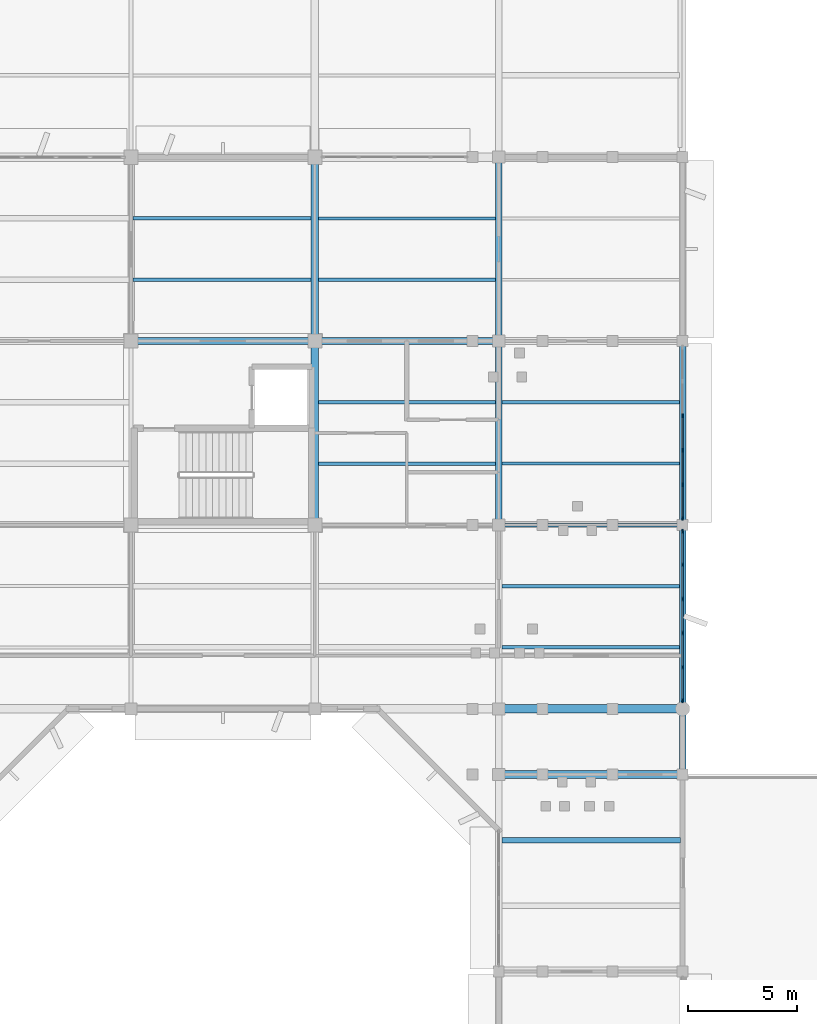
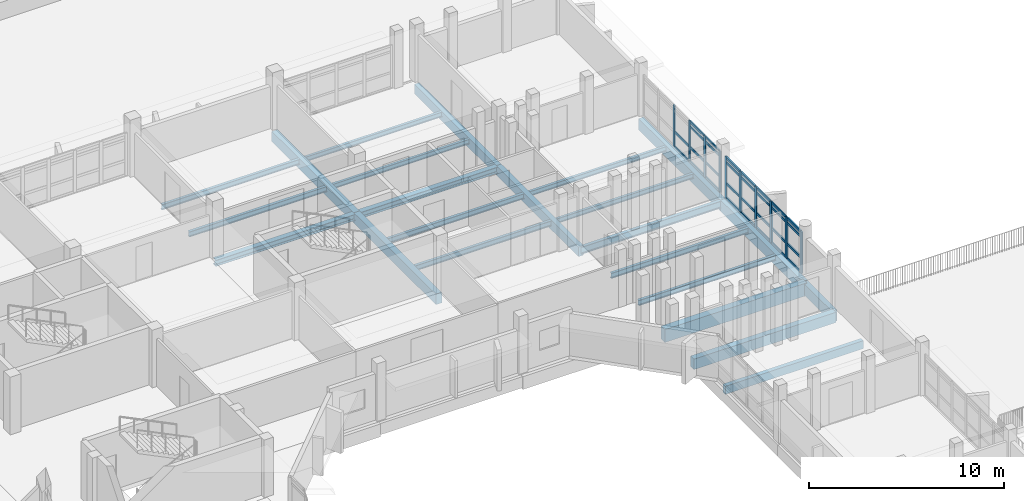
# One storey, part 38 of 92: 40 members, 23 beams, 2 elements without a shape of their own.
"""IFC4 building model written with IfcOpenShell, lengths in metres."""

from ifc_helpers import new_model, si_unit, direction, frame, origin, origin_2d, place, context, subcontext, project, spatial, rectangle, i_section, extrude, material, material_profile, profile_set, type_object, element, aggregate, save


model = new_model("IFC4")

# Units and contexts
model_context = context("Model", 3, precision=1e-05, world=origin(), true_north=direction((0.0, 1.0)))
body_context = subcontext(model_context, "Body", "Model", "MODEL_VIEW")
ifc_project = project(units=[si_unit("LENGTHUNIT", "METRE"), si_unit("AREAUNIT", "SQUARE_METRE"), si_unit("VOLUMEUNIT", "CUBIC_METRE"), si_unit("PLANEANGLEUNIT", "RADIAN"), si_unit("MASSUNIT", "GRAM", prefix="KILO")], contexts=[model_context])

# Site, building, storey
site_placement = place(None, origin())
site = spatial("IfcSite", under=ifc_project, at=site_placement, CompositionType="ELEMENT")
building_placement = place(site_placement, origin())
building = spatial("IfcBuilding", under=site, at=building_placement, Name="Vanh Quang Courtyard School", CompositionType="ELEMENT")
storey_placement = place(building_placement, frame((0.0, 0.0, 7.800048828125)))
storey = spatial("IfcBuildingStorey", under=building, at=storey_placement, Name="L02", CompositionType="ELEMENT", Elevation=7.800048828125)

# Beams
ifc_material_1 = material(Name="Concrete C35/45", Category="concrete")
ifc_material_profile_1 = material_profile(ifc_material_1, rectangle(XDim=0.300048828125, YDim=0.60009765625, at=origin_2d()), Name="RC-BM 300x600")
ifc_profile_set_1 = profile_set([ifc_material_profile_1], Name="Concrete C35/45")
beam_type_1 = type_object("IfcBeamType", Name="BM-RC-300x600", PredefinedType="BEAM", material=ifc_profile_set_1)
beam_1_placement = place(storey_placement, frame((111.0, 79.800048828125, -0.580078125), z_axis=(0.0, 1.0, 0.0), x_axis=(-1.0, 0.0, 0.0)))
element("IfcBeam", 1, at=beam_1_placement, inside=storey, type_object=beam_type_1, Name="Beam B-06 (L02)", PredefinedType="BEAM", context=body_context, shape_type="SweptSolid", body=[
    extrude(rectangle(XDim=0.300048828125, YDim=0.60009765625, at=origin_2d()), origin(), (0.0, 0.0, 1.0), 8.39990234375),
])
beam_2_placement = place(storey_placement, frame((111.0, 88.199951171875, -0.580078125), z_axis=(0.0, 1.0, 0.0), x_axis=(-1.0, 0.0, 0.0)))
element("IfcBeam", 2, at=beam_2_placement, inside=storey, type_object=beam_type_1, Name="Beam B-06 (L02)", PredefinedType="BEAM", context=body_context, shape_type="SweptSolid", body=[
    extrude(rectangle(XDim=0.300048828125, YDim=0.60009765625, at=origin_2d()), origin(), (0.0, 0.0, 1.0), 8.400146484375),
])
ifc_material_profile_2 = material_profile(ifc_material_1, rectangle(XDim=0.35009765625, YDim=0.64990234375, at=origin_2d()), Name="RC-BM 350x650")
ifc_profile_set_2 = profile_set([ifc_material_profile_2], Name="Concrete C35/45")
beam_type_2 = type_object("IfcBeamType", Name="BM-RC-350x650", PredefinedType="BEAM", material=ifc_profile_set_2)
for number, where, z_axis, x_axis, name in (
    (3, (111.0, 68.39990234375, -0.64501953125), (1.0, 0.0, 0.0), (0.0, 1.0, 0.0), "Beam B-05 (L02)"),
    (4, (102.60009765625, 79.800048828125, -0.60498046875), (0.0, 1.0, 0.0), (-1.0, 0.0, 0.0), "Beam B-05 (L02)"),
):
    element("IfcBeam", number, at=place(storey_placement, frame(where, z_axis=z_axis, x_axis=x_axis)), inside=storey, type_object=beam_type_2, Name=name, PredefinedType="BEAM", context=body_context, shape_type="SweptSolid", body=[
        extrude(rectangle(XDim=0.35009765625, YDim=0.64990234375, at=origin_2d()), origin(), (0.0, 0.0, 1.0), 8.39990234375),
    ])
beam_3_placement = place(storey_placement, frame((102.60009765625, 88.199951171875, -0.60498046875), z_axis=(0.0, 1.0, 0.0), x_axis=(-1.0, 0.0, 0.0)))
element("IfcBeam", 5, at=beam_3_placement, inside=storey, type_object=beam_type_2, Name="Beam B-05 (L02)", PredefinedType="BEAM", context=body_context, shape_type="SweptSolid", body=[
    extrude(rectangle(XDim=0.35009765625, YDim=0.64990234375, at=origin_2d()), origin(), (0.0, 0.0, 1.0), 8.400146484375),
])
ifc_material_profile_3 = material_profile(ifc_material_1, rectangle(XDim=0.39990234375, YDim=0.800048828125, at=origin_2d()), Name="RC-BM 400x800")
ifc_profile_set_3 = profile_set([ifc_material_profile_3], Name="Concrete C35/45")
beam_type_3 = type_object("IfcBeamType", Name="BM-RC-400x800", PredefinedType="BEAM", material=ifc_profile_set_3)
beam_4_placement = place(storey_placement, frame((111.0, 71.39990234375, -0.679931640625), z_axis=(1.0, 0.0, 0.0), x_axis=(0.0, 1.0, 0.0)))
element("IfcBeam", 6, at=beam_4_placement, inside=storey, type_object=beam_type_3, Name="Beam B-02 (L02)", PredefinedType="BEAM", context=body_context, shape_type="SweptSolid", body=[
    extrude(rectangle(XDim=0.39990234375, YDim=0.800048828125, at=origin_2d()), origin(), (0.0, 0.0, 1.0), 8.39990234375),
])
ifc_material_profile_4 = material_profile(ifc_material_1, rectangle(XDim=0.300048828125, YDim=0.699951171875, at=origin_2d()), Name="RC-SP 300x700")
ifc_profile_set_4 = profile_set([ifc_material_profile_4], Name="Concrete C35/45")
beam_type_4 = type_object("IfcBeamType", Name="BM-SP-300x700", PredefinedType="SPANDREL", material=ifc_profile_set_4)
beam_5_placement = place(storey_placement, frame((119.39990234375, 68.39990234375, -0.670166015625), z_axis=(0.0, 1.0, 0.0), x_axis=(-1.0, 0.0, 0.0)))
element("IfcBeam", 7, at=beam_5_placement, inside=storey, type_object=beam_type_4, Name="Beam BS-01 (L02)", PredefinedType="SPANDREL", context=body_context, shape_type="SweptSolid", body=[
    extrude(rectangle(XDim=0.300048828125, YDim=0.699951171875, at=origin_2d()), origin(), (0.0, 0.0, 1.0), 3.0),
])
beam_6_placement = place(storey_placement, frame((119.39990234375, 71.39990234375, -0.630126953125), z_axis=(0.0, 1.0, 0.0), x_axis=(-1.0, 0.0, 0.0)))
element("IfcBeam", 8, at=beam_6_placement, inside=storey, type_object=beam_type_4, Name="Beam BS-01 (L02)", PredefinedType="SPANDREL", context=body_context, shape_type="SweptSolid", body=[
    extrude(rectangle(XDim=0.300048828125, YDim=0.699951171875, at=origin_2d()), origin(), (0.0, 0.0, 1.0), 8.400146484375),
])
beam_7_placement = place(storey_placement, frame((119.39990234375, 79.800048828125, -0.630126953125), z_axis=(0.0, 1.0, 0.0), x_axis=(-1.0, 0.0, 0.0)))
element("IfcBeam", 9, at=beam_7_placement, inside=storey, type_object=beam_type_4, Name="Beam BS-01 (L02)", PredefinedType="SPANDREL", context=body_context, shape_type="SweptSolid", body=[
    extrude(rectangle(XDim=0.300048828125, YDim=0.699951171875, at=origin_2d()), origin(), (0.0, 0.0, 1.0), 8.39990234375),
])
ifc_material_2 = material(Name="Structural steel EN 10025-2 S355J2", Category="steel")
ifc_material_profile_5 = material_profile(ifc_material_2, i_section(OverallWidth=0.300048828125, OverallDepth=0.389892578125, WebThickness=0.010986328125, FlangeThickness=0.01904296875, FilletRadius=0.027099609375, at=origin_2d()), Name="HEA 400")
ifc_profile_set_5 = profile_set([ifc_material_profile_5], Name="Structural steel EN 10025-2 S355J2")
beam_type_5 = type_object("IfcBeamType", Name="BM-STL-HEA400", PredefinedType="BEAM", material=ifc_profile_set_5)
beam_8_placement = place(storey_placement, frame((94.199951171875, 88.199951171875, -0.47509765625), z_axis=(1.0, 0.0, 0.0), x_axis=(0.0, 1.0, 0.0)))
element("IfcBeam", 10, at=beam_8_placement, inside=storey, type_object=beam_type_5, Name="Beam SB-08 (L02)", PredefinedType="BEAM", context=body_context, shape_type="SweptSolid", body=[
    extrude(i_section(OverallWidth=0.300048828125, OverallDepth=0.389892578125, WebThickness=0.010986328125, FlangeThickness=0.01904296875, FilletRadius=0.027099609375, at=origin_2d()), origin(), (0.0, 0.0, 1.0), 8.400146484375),
])
beam_9_placement = place(storey_placement, frame((102.60009765625, 88.199951171875, -0.47509765625), z_axis=(1.0, 0.0, 0.0), x_axis=(0.0, 1.0, 0.0)))
element("IfcBeam", 11, at=beam_9_placement, inside=storey, type_object=beam_type_5, Name="Beam SB-08 (L02)", PredefinedType="BEAM", context=body_context, shape_type="SweptSolid", body=[
    extrude(i_section(OverallWidth=0.300048828125, OverallDepth=0.389892578125, WebThickness=0.010986328125, FlangeThickness=0.01904296875, FilletRadius=0.027099609375, at=origin_2d()), origin(), (0.0, 0.0, 1.0), 8.39990234375),
])
ifc_material_profile_6 = material_profile(ifc_material_2, i_section(OverallWidth=0.18994140625, OverallDepth=0.449951171875, WebThickness=0.009521484375, FlangeThickness=0.0146484375, FilletRadius=0.02099609375, at=origin_2d()), Name="IPE 450")
ifc_profile_set_6 = profile_set([ifc_material_profile_6], Name="Structural steel EN 10025-2 S355J2")
beam_type_6 = type_object("IfcBeamType", Name="BM-STL-IPE450", PredefinedType="BEAM", material=ifc_profile_set_6)
beam_10_placement = place(storey_placement, frame((111.0, 79.800048828125, -0.505126953125), z_axis=(1.0, 0.0, 0.0), x_axis=(0.0, 1.0, 0.0)))
element("IfcBeam", 12, at=beam_10_placement, inside=storey, type_object=beam_type_6, Name="Beam SB-04 (L02)", PredefinedType="BEAM", context=body_context, shape_type="SweptSolid", body=[
    extrude(i_section(OverallWidth=0.18994140625, OverallDepth=0.449951171875, WebThickness=0.009521484375, FlangeThickness=0.0146484375, FilletRadius=0.02099609375, at=origin_2d()), origin(), (0.0, 0.0, 1.0), 8.39990234375),
])

# Curtain wall, members
ifc_material_3 = material(Name="Thermally broken aluminium unitised curtain wall", Category="aluminium")
curtain_wall_type_1 = type_object("IfcCurtainWallType", Name="CW-SYS-19", PredefinedType="NOTDEFINED", material=ifc_material_3)
curtain_wall_1_placement = place(storey_placement, origin())
curtain_wall_1 = element("IfcCurtainWall", 13, at=curtain_wall_1_placement, inside=storey, type_object=curtain_wall_type_1, Name="Curtain Wall CW-19 (L02)", PredefinedType="NOTDEFINED")
ifc_material_4 = material(Name="Anodised aluminium 6063-T6", Category="aluminium")
ifc_material_profile_7 = material_profile(ifc_material_4, rectangle(XDim=0.070068359375, YDim=0.179931640625, at=origin_2d()), Name="ALU-MUL 70x180")
ifc_profile_set_7 = profile_set([ifc_material_profile_7], Name="Anodised aluminium 6063-T6")
member_type_1 = type_object("IfcMemberType", Name="CW-MUL-70x180", PredefinedType="MULLION", material=ifc_profile_set_7)
member_1_placement = place(storey_placement, frame((119.39990234375, 84.788330078125, 0.0), z_axis=(0.0, 0.0, 1.0), x_axis=(1.0, 0.0, 0.0)))
member_1 = element("IfcMember", 14, at=member_1_placement, type_object=member_type_1, Name="CW-19 mullion 3", PredefinedType="MULLION", context=body_context, shape_type="SweptSolid", body=[
    extrude(rectangle(XDim=0.070068359375, YDim=0.179931640625, at=origin_2d()), origin(), (0.0, 0.0, 1.0), 2.579833984375),
])
member_2_placement = place(storey_placement, frame((119.39990234375, 83.211669921875, 0.0), z_axis=(0.0, 0.0, 1.0), x_axis=(1.0, 0.0, 0.0)))
member_2 = element("IfcMember", 15, at=member_2_placement, type_object=member_type_1, Name="CW-19 mullion 4", PredefinedType="MULLION", context=body_context, shape_type="SweptSolid", body=[
    extrude(rectangle(XDim=0.070068359375, YDim=0.179931640625, at=origin_2d()), origin(), (0.0, 0.0, 1.0), 2.579833984375),
])
member_3_placement = place(storey_placement, frame((119.39990234375, 81.634765625, 0.0), z_axis=(0.0, 0.0, 1.0), x_axis=(1.0, 0.0, 0.0)))
member_3 = element("IfcMember", 16, at=member_3_placement, type_object=member_type_1, Name="CW-19 mullion 5", PredefinedType="MULLION", context=body_context, shape_type="SweptSolid", body=[
    extrude(rectangle(XDim=0.070068359375, YDim=0.179931640625, at=origin_2d()), origin(), (0.0, 0.0, 1.0), 2.579833984375),
])
member_4_placement = place(storey_placement, frame((119.39990234375, 80.093017578125, 0.0), z_axis=(0.0, 0.0, 1.0), x_axis=(1.0, 0.0, 0.0)))
member_4 = element("IfcMember", 17, at=member_4_placement, type_object=member_type_1, Name="CW-19 mullion 6", PredefinedType="MULLION", context=body_context, shape_type="SweptSolid", body=[
    extrude(rectangle(XDim=0.070068359375, YDim=0.179931640625, at=origin_2d()), origin(), (0.0, 0.0, 1.0), 2.579833984375),
])

curtain_wall_type_2 = type_object("IfcCurtainWallType", Name="CW-SYS-24", PredefinedType="NOTDEFINED", material=ifc_material_3)
curtain_wall_2_placement = place(storey_placement, origin())
curtain_wall_2 = element("IfcCurtainWall", 18, at=curtain_wall_2_placement, inside=storey, type_object=curtain_wall_type_2, Name="Curtain Wall CW-24 (L02)", PredefinedType="NOTDEFINED")
ifc_material_profile_8 = material_profile(ifc_material_4, rectangle(XDim=0.080078125, YDim=0.199951171875, at=origin_2d()), Name="ALU-MUL 80x200")
ifc_profile_set_8 = profile_set([ifc_material_profile_8], Name="Anodised aluminium 6063-T6")
member_type_2 = type_object("IfcMemberType", Name="CW-MUL-80x200", PredefinedType="MULLION", material=ifc_profile_set_8)
member_5_placement = place(storey_placement, frame((119.39990234375, 79.501953125, 0.0), z_axis=(0.0, 0.0, 1.0), x_axis=(1.0, 0.0, 0.0)))
member_5 = element("IfcMember", 19, at=member_5_placement, type_object=member_type_2, Name="CW-24 mullion 1", PredefinedType="MULLION", context=body_context, shape_type="SweptSolid", body=[
    extrude(rectangle(XDim=0.080078125, YDim=0.199951171875, at=origin_2d()), origin(), (0.0, 0.0, 1.0), 2.579833984375),
])
member_6_placement = place(storey_placement, frame((119.39990234375, 77.980224609375, 0.0), z_axis=(0.0, 0.0, 1.0), x_axis=(1.0, 0.0, 0.0)))
member_6 = element("IfcMember", 20, at=member_6_placement, type_object=member_type_2, Name="CW-24 mullion 2", PredefinedType="MULLION", context=body_context, shape_type="SweptSolid", body=[
    extrude(rectangle(XDim=0.080078125, YDim=0.199951171875, at=origin_2d()), origin(), (0.0, 0.0, 1.0), 2.579833984375),
])
member_7_placement = place(storey_placement, frame((119.39990234375, 76.41845703125, 0.0), z_axis=(0.0, 0.0, 1.0), x_axis=(1.0, 0.0, 0.0)))
member_7 = element("IfcMember", 21, at=member_7_placement, type_object=member_type_2, Name="CW-24 mullion 3", PredefinedType="MULLION", context=body_context, shape_type="SweptSolid", body=[
    extrude(rectangle(XDim=0.080078125, YDim=0.199951171875, at=origin_2d()), origin(), (0.0, 0.0, 1.0), 2.579833984375),
])
member_8_placement = place(storey_placement, frame((119.39990234375, 74.856689453125, 0.0), z_axis=(0.0, 0.0, 1.0), x_axis=(1.0, 0.0, 0.0)))
member_8 = element("IfcMember", 22, at=member_8_placement, type_object=member_type_2, Name="CW-24 mullion 4", PredefinedType="MULLION", context=body_context, shape_type="SweptSolid", body=[
    extrude(rectangle(XDim=0.080078125, YDim=0.199951171875, at=origin_2d()), origin(), (0.0, 0.0, 1.0), 2.579833984375),
])
member_9_placement = place(storey_placement, frame((119.39990234375, 73.294921875, 0.0), z_axis=(0.0, 0.0, 1.0), x_axis=(1.0, 0.0, 0.0)))
member_9 = element("IfcMember", 23, at=member_9_placement, type_object=member_type_2, Name="CW-24 mullion 5", PredefinedType="MULLION", context=body_context, shape_type="SweptSolid", body=[
    extrude(rectangle(XDim=0.080078125, YDim=0.199951171875, at=origin_2d()), origin(), (0.0, 0.0, 1.0), 2.579833984375),
])
member_10_placement = place(storey_placement, frame((119.39990234375, 71.77294921875, 0.0), z_axis=(0.0, 0.0, 1.0), x_axis=(1.0, 0.0, 0.0)))
member_10 = element("IfcMember", 24, at=member_10_placement, type_object=member_type_2, Name="CW-24 mullion 6", PredefinedType="MULLION", context=body_context, shape_type="SweptSolid", body=[
    extrude(rectangle(XDim=0.080078125, YDim=0.199951171875, at=origin_2d()), origin(), (0.0, 0.0, 1.0), 2.579833984375),
])

# Member
ifc_material_profile_9 = material_profile(ifc_material_4, rectangle(XDim=0.070068359375, YDim=0.139892578125, at=origin_2d()), Name="ALU-TRN 70x140")
ifc_profile_set_9 = profile_set([ifc_material_profile_9], Name="Anodised aluminium 6063-T6")
member_type_3 = type_object("IfcMemberType", Name="CW-TRN-70x140", PredefinedType="USERDEFINED", material=ifc_profile_set_9)
member_11_placement = place(storey_placement, frame((119.39990234375, 84.75341796875, 0.034912109375), z_axis=(0.0, -1.0, 0.0), x_axis=(1.0, 0.0, 0.0)))
member_11 = element("IfcMember", 25, at=member_11_placement, type_object=member_type_3, Name="CW-19 transom 3.1", ObjectType="TRANSOM", PredefinedType="USERDEFINED", context=body_context, shape_type="SweptSolid", body=[
    extrude(rectangle(XDim=0.070068359375, YDim=0.139892578125, at=origin_2d()), origin(), (0.0, 0.0, 1.0), 1.5068359375),
])

member_12_placement = place(storey_placement, frame((119.39990234375, 84.75341796875, 0.949951171875), z_axis=(0.0, -1.0, 0.0), x_axis=(1.0, 0.0, 0.0)))
member_12 = element("IfcMember", 26, at=member_12_placement, type_object=member_type_3, Name="CW-19 transom 3.2", ObjectType="TRANSOM", PredefinedType="USERDEFINED", context=body_context, shape_type="SweptSolid", body=[
    extrude(rectangle(XDim=0.070068359375, YDim=0.139892578125, at=origin_2d()), origin(), (0.0, 0.0, 1.0), 1.5068359375),
])

member_13_placement = place(storey_placement, frame((119.39990234375, 83.176513671875, 0.034912109375), z_axis=(0.0, -1.0, 0.0), x_axis=(1.0, 0.0, 0.0)))
member_13 = element("IfcMember", 27, at=member_13_placement, type_object=member_type_3, Name="CW-19 transom 4.1", ObjectType="TRANSOM", PredefinedType="USERDEFINED", context=body_context, shape_type="SweptSolid", body=[
    extrude(rectangle(XDim=0.070068359375, YDim=0.139892578125, at=origin_2d()), origin(), (0.0, 0.0, 1.0), 1.506591796875),
])

member_14_placement = place(storey_placement, frame((119.39990234375, 83.176513671875, 0.949951171875), z_axis=(0.0, -1.0, 0.0), x_axis=(1.0, 0.0, 0.0)))
member_14 = element("IfcMember", 28, at=member_14_placement, type_object=member_type_3, Name="CW-19 transom 4.2", ObjectType="TRANSOM", PredefinedType="USERDEFINED", context=body_context, shape_type="SweptSolid", body=[
    extrude(rectangle(XDim=0.070068359375, YDim=0.139892578125, at=origin_2d()), origin(), (0.0, 0.0, 1.0), 1.506591796875),
])

member_15_placement = place(storey_placement, frame((119.39990234375, 83.176513671875, 2.25), z_axis=(0.0, -1.0, 0.0), x_axis=(1.0, 0.0, 0.0)))
member_15 = element("IfcMember", 29, at=member_15_placement, type_object=member_type_3, Name="CW-19 transom 4.3", ObjectType="TRANSOM", PredefinedType="USERDEFINED", context=body_context, shape_type="SweptSolid", body=[
    extrude(rectangle(XDim=0.070068359375, YDim=0.139892578125, at=origin_2d()), origin(), (0.0, 0.0, 1.0), 1.506591796875),
])

member_16_placement = place(storey_placement, frame((119.39990234375, 83.176513671875, 2.544921875), z_axis=(0.0, -1.0, 0.0), x_axis=(1.0, 0.0, 0.0)))
member_16 = element("IfcMember", 30, at=member_16_placement, type_object=member_type_3, Name="CW-19 transom 4.4", ObjectType="TRANSOM", PredefinedType="USERDEFINED", context=body_context, shape_type="SweptSolid", body=[
    extrude(rectangle(XDim=0.070068359375, YDim=0.139892578125, at=origin_2d()), origin(), (0.0, 0.0, 1.0), 1.506591796875),
])

member_17_placement = place(storey_placement, frame((119.39990234375, 81.599853515625, 0.034912109375), z_axis=(0.0, -1.0, 0.0), x_axis=(1.0, 0.0, 0.0)))
member_17 = element("IfcMember", 31, at=member_17_placement, type_object=member_type_3, Name="CW-19 transom 5.1", ObjectType="TRANSOM", PredefinedType="USERDEFINED", context=body_context, shape_type="SweptSolid", body=[
    extrude(rectangle(XDim=0.070068359375, YDim=0.139892578125, at=origin_2d()), origin(), (0.0, 0.0, 1.0), 1.471923828125),
])

member_18_placement = place(storey_placement, frame((119.39990234375, 81.599853515625, 0.949951171875), z_axis=(0.0, -1.0, 0.0), x_axis=(1.0, 0.0, 0.0)))
member_18 = element("IfcMember", 32, at=member_18_placement, type_object=member_type_3, Name="CW-19 transom 5.2", ObjectType="TRANSOM", PredefinedType="USERDEFINED", context=body_context, shape_type="SweptSolid", body=[
    extrude(rectangle(XDim=0.070068359375, YDim=0.139892578125, at=origin_2d()), origin(), (0.0, 0.0, 1.0), 1.471923828125),
])

member_19_placement = place(storey_placement, frame((119.39990234375, 81.599853515625, 2.25), z_axis=(0.0, -1.0, 0.0), x_axis=(1.0, 0.0, 0.0)))
member_19 = element("IfcMember", 33, at=member_19_placement, type_object=member_type_3, Name="CW-19 transom 5.3", ObjectType="TRANSOM", PredefinedType="USERDEFINED", context=body_context, shape_type="SweptSolid", body=[
    extrude(rectangle(XDim=0.070068359375, YDim=0.139892578125, at=origin_2d()), origin(), (0.0, 0.0, 1.0), 1.471923828125),
])

member_20_placement = place(storey_placement, frame((119.39990234375, 81.599853515625, 2.544921875), z_axis=(0.0, -1.0, 0.0), x_axis=(1.0, 0.0, 0.0)))
member_20 = element("IfcMember", 34, at=member_20_placement, type_object=member_type_3, Name="CW-19 transom 5.4", ObjectType="TRANSOM", PredefinedType="USERDEFINED", context=body_context, shape_type="SweptSolid", body=[
    extrude(rectangle(XDim=0.070068359375, YDim=0.139892578125, at=origin_2d()), origin(), (0.0, 0.0, 1.0), 1.471923828125),
])

aggregate(curtain_wall_1, [member_1, member_2, member_3, member_4, member_11, member_12, member_13, member_14, member_15, member_16, member_17, member_18, member_19, member_20])

ifc_material_profile_10 = material_profile(ifc_material_4, rectangle(XDim=0.080078125, YDim=0.14990234375, at=origin_2d()), Name="ALU-TRN 80x150")
ifc_profile_set_10 = profile_set([ifc_material_profile_10], Name="Anodised aluminium 6063-T6")
member_type_4 = type_object("IfcMemberType", Name="CW-TRN-80x150", PredefinedType="USERDEFINED", material=ifc_profile_set_10)
member_21_placement = place(storey_placement, frame((119.39990234375, 79.4619140625, 0.0400390625), z_axis=(0.0, -1.0, 0.0), x_axis=(1.0, 0.0, 0.0)))
member_21 = element("IfcMember", 35, at=member_21_placement, type_object=member_type_4, Name="CW-24 transom 1.1", ObjectType="TRANSOM", PredefinedType="USERDEFINED", context=body_context, shape_type="SweptSolid", body=[
    extrude(rectangle(XDim=0.080078125, YDim=0.14990234375, at=origin_2d()), origin(), (0.0, 0.0, 1.0), 1.441650390625),
])

member_22_placement = place(storey_placement, frame((119.39990234375, 79.4619140625, 0.949951171875), z_axis=(0.0, -1.0, 0.0), x_axis=(1.0, 0.0, 0.0)))
member_22 = element("IfcMember", 36, at=member_22_placement, type_object=member_type_4, Name="CW-24 transom 1.2", ObjectType="TRANSOM", PredefinedType="USERDEFINED", context=body_context, shape_type="SweptSolid", body=[
    extrude(rectangle(XDim=0.080078125, YDim=0.14990234375, at=origin_2d()), origin(), (0.0, 0.0, 1.0), 1.441650390625),
])

member_23_placement = place(storey_placement, frame((119.39990234375, 79.4619140625, 2.25), z_axis=(0.0, -1.0, 0.0), x_axis=(1.0, 0.0, 0.0)))
member_23 = element("IfcMember", 37, at=member_23_placement, type_object=member_type_4, Name="CW-24 transom 1.3", ObjectType="TRANSOM", PredefinedType="USERDEFINED", context=body_context, shape_type="SweptSolid", body=[
    extrude(rectangle(XDim=0.080078125, YDim=0.14990234375, at=origin_2d()), origin(), (0.0, 0.0, 1.0), 1.441650390625),
])

member_24_placement = place(storey_placement, frame((119.39990234375, 79.4619140625, 2.5400390625), z_axis=(0.0, -1.0, 0.0), x_axis=(1.0, 0.0, 0.0)))
member_24 = element("IfcMember", 38, at=member_24_placement, type_object=member_type_4, Name="CW-24 transom 1.4", ObjectType="TRANSOM", PredefinedType="USERDEFINED", context=body_context, shape_type="SweptSolid", body=[
    extrude(rectangle(XDim=0.080078125, YDim=0.14990234375, at=origin_2d()), origin(), (0.0, 0.0, 1.0), 1.441650390625),
])

member_25_placement = place(storey_placement, frame((119.39990234375, 77.940185546875, 0.0400390625), z_axis=(0.0, -1.0, 0.0), x_axis=(1.0, 0.0, 0.0)))
member_25 = element("IfcMember", 39, at=member_25_placement, type_object=member_type_4, Name="CW-24 transom 2.1", ObjectType="TRANSOM", PredefinedType="USERDEFINED", context=body_context, shape_type="SweptSolid", body=[
    extrude(rectangle(XDim=0.080078125, YDim=0.14990234375, at=origin_2d()), origin(), (0.0, 0.0, 1.0), 1.481689453125),
])

member_26_placement = place(storey_placement, frame((119.39990234375, 77.940185546875, 0.949951171875), z_axis=(0.0, -1.0, 0.0), x_axis=(1.0, 0.0, 0.0)))
member_26 = element("IfcMember", 40, at=member_26_placement, type_object=member_type_4, Name="CW-24 transom 2.2", ObjectType="TRANSOM", PredefinedType="USERDEFINED", context=body_context, shape_type="SweptSolid", body=[
    extrude(rectangle(XDim=0.080078125, YDim=0.14990234375, at=origin_2d()), origin(), (0.0, 0.0, 1.0), 1.481689453125),
])

member_27_placement = place(storey_placement, frame((119.39990234375, 77.940185546875, 2.25), z_axis=(0.0, -1.0, 0.0), x_axis=(1.0, 0.0, 0.0)))
member_27 = element("IfcMember", 41, at=member_27_placement, type_object=member_type_4, Name="CW-24 transom 2.3", ObjectType="TRANSOM", PredefinedType="USERDEFINED", context=body_context, shape_type="SweptSolid", body=[
    extrude(rectangle(XDim=0.080078125, YDim=0.14990234375, at=origin_2d()), origin(), (0.0, 0.0, 1.0), 1.481689453125),
])

member_28_placement = place(storey_placement, frame((119.39990234375, 77.940185546875, 2.5400390625), z_axis=(0.0, -1.0, 0.0), x_axis=(1.0, 0.0, 0.0)))
member_28 = element("IfcMember", 42, at=member_28_placement, type_object=member_type_4, Name="CW-24 transom 2.4", ObjectType="TRANSOM", PredefinedType="USERDEFINED", context=body_context, shape_type="SweptSolid", body=[
    extrude(rectangle(XDim=0.080078125, YDim=0.14990234375, at=origin_2d()), origin(), (0.0, 0.0, 1.0), 1.481689453125),
])

member_29_placement = place(storey_placement, frame((119.39990234375, 76.37841796875, 0.0400390625), z_axis=(0.0, -1.0, 0.0), x_axis=(1.0, 0.0, 0.0)))
member_29 = element("IfcMember", 43, at=member_29_placement, type_object=member_type_4, Name="CW-24 transom 3.1", ObjectType="TRANSOM", PredefinedType="USERDEFINED", context=body_context, shape_type="SweptSolid", body=[
    extrude(rectangle(XDim=0.080078125, YDim=0.14990234375, at=origin_2d()), origin(), (0.0, 0.0, 1.0), 1.48193359375),
])

member_30_placement = place(storey_placement, frame((119.39990234375, 76.37841796875, 0.949951171875), z_axis=(0.0, -1.0, 0.0), x_axis=(1.0, 0.0, 0.0)))
member_30 = element("IfcMember", 44, at=member_30_placement, type_object=member_type_4, Name="CW-24 transom 3.2", ObjectType="TRANSOM", PredefinedType="USERDEFINED", context=body_context, shape_type="SweptSolid", body=[
    extrude(rectangle(XDim=0.080078125, YDim=0.14990234375, at=origin_2d()), origin(), (0.0, 0.0, 1.0), 1.48193359375),
])

member_31_placement = place(storey_placement, frame((119.39990234375, 76.37841796875, 2.25), z_axis=(0.0, -1.0, 0.0), x_axis=(1.0, 0.0, 0.0)))
member_31 = element("IfcMember", 45, at=member_31_placement, type_object=member_type_4, Name="CW-24 transom 3.3", ObjectType="TRANSOM", PredefinedType="USERDEFINED", context=body_context, shape_type="SweptSolid", body=[
    extrude(rectangle(XDim=0.080078125, YDim=0.14990234375, at=origin_2d()), origin(), (0.0, 0.0, 1.0), 1.48193359375),
])

member_32_placement = place(storey_placement, frame((119.39990234375, 76.37841796875, 2.5400390625), z_axis=(0.0, -1.0, 0.0), x_axis=(1.0, 0.0, 0.0)))
member_32 = element("IfcMember", 46, at=member_32_placement, type_object=member_type_4, Name="CW-24 transom 3.4", ObjectType="TRANSOM", PredefinedType="USERDEFINED", context=body_context, shape_type="SweptSolid", body=[
    extrude(rectangle(XDim=0.080078125, YDim=0.14990234375, at=origin_2d()), origin(), (0.0, 0.0, 1.0), 1.48193359375),
])

member_33_placement = place(storey_placement, frame((119.39990234375, 74.816650390625, 0.0400390625), z_axis=(0.0, -1.0, 0.0), x_axis=(1.0, 0.0, 0.0)))
member_33 = element("IfcMember", 47, at=member_33_placement, type_object=member_type_4, Name="CW-24 transom 4.1", ObjectType="TRANSOM", PredefinedType="USERDEFINED", context=body_context, shape_type="SweptSolid", body=[
    extrude(rectangle(XDim=0.080078125, YDim=0.14990234375, at=origin_2d()), origin(), (0.0, 0.0, 1.0), 1.48193359375),
])

member_34_placement = place(storey_placement, frame((119.39990234375, 74.816650390625, 0.949951171875), z_axis=(0.0, -1.0, 0.0), x_axis=(1.0, 0.0, 0.0)))
member_34 = element("IfcMember", 48, at=member_34_placement, type_object=member_type_4, Name="CW-24 transom 4.2", ObjectType="TRANSOM", PredefinedType="USERDEFINED", context=body_context, shape_type="SweptSolid", body=[
    extrude(rectangle(XDim=0.080078125, YDim=0.14990234375, at=origin_2d()), origin(), (0.0, 0.0, 1.0), 1.48193359375),
])

member_35_placement = place(storey_placement, frame((119.39990234375, 74.816650390625, 2.25), z_axis=(0.0, -1.0, 0.0), x_axis=(1.0, 0.0, 0.0)))
member_35 = element("IfcMember", 49, at=member_35_placement, type_object=member_type_4, Name="CW-24 transom 4.3", ObjectType="TRANSOM", PredefinedType="USERDEFINED", context=body_context, shape_type="SweptSolid", body=[
    extrude(rectangle(XDim=0.080078125, YDim=0.14990234375, at=origin_2d()), origin(), (0.0, 0.0, 1.0), 1.48193359375),
])

member_36_placement = place(storey_placement, frame((119.39990234375, 74.816650390625, 2.5400390625), z_axis=(0.0, -1.0, 0.0), x_axis=(1.0, 0.0, 0.0)))
member_36 = element("IfcMember", 50, at=member_36_placement, type_object=member_type_4, Name="CW-24 transom 4.4", ObjectType="TRANSOM", PredefinedType="USERDEFINED", context=body_context, shape_type="SweptSolid", body=[
    extrude(rectangle(XDim=0.080078125, YDim=0.14990234375, at=origin_2d()), origin(), (0.0, 0.0, 1.0), 1.48193359375),
])

member_37_placement = place(storey_placement, frame((119.39990234375, 73.2548828125, 0.0400390625), z_axis=(0.0, -1.0, 0.0), x_axis=(1.0, 0.0, 0.0)))
member_37 = element("IfcMember", 51, at=member_37_placement, type_object=member_type_4, Name="CW-24 transom 5.1", ObjectType="TRANSOM", PredefinedType="USERDEFINED", context=body_context, shape_type="SweptSolid", body=[
    extrude(rectangle(XDim=0.080078125, YDim=0.14990234375, at=origin_2d()), origin(), (0.0, 0.0, 1.0), 1.44189453125),
])

member_38_placement = place(storey_placement, frame((119.39990234375, 73.2548828125, 0.949951171875), z_axis=(0.0, -1.0, 0.0), x_axis=(1.0, 0.0, 0.0)))
member_38 = element("IfcMember", 52, at=member_38_placement, type_object=member_type_4, Name="CW-24 transom 5.2", ObjectType="TRANSOM", PredefinedType="USERDEFINED", context=body_context, shape_type="SweptSolid", body=[
    extrude(rectangle(XDim=0.080078125, YDim=0.14990234375, at=origin_2d()), origin(), (0.0, 0.0, 1.0), 1.44189453125),
])

member_39_placement = place(storey_placement, frame((119.39990234375, 73.2548828125, 2.25), z_axis=(0.0, -1.0, 0.0), x_axis=(1.0, 0.0, 0.0)))
member_39 = element("IfcMember", 53, at=member_39_placement, type_object=member_type_4, Name="CW-24 transom 5.3", ObjectType="TRANSOM", PredefinedType="USERDEFINED", context=body_context, shape_type="SweptSolid", body=[
    extrude(rectangle(XDim=0.080078125, YDim=0.14990234375, at=origin_2d()), origin(), (0.0, 0.0, 1.0), 1.44189453125),
])

member_40_placement = place(storey_placement, frame((119.39990234375, 73.2548828125, 2.5400390625), z_axis=(0.0, -1.0, 0.0), x_axis=(1.0, 0.0, 0.0)))
member_40 = element("IfcMember", 54, at=member_40_placement, type_object=member_type_4, Name="CW-24 transom 5.4", ObjectType="TRANSOM", PredefinedType="USERDEFINED", context=body_context, shape_type="SweptSolid", body=[
    extrude(rectangle(XDim=0.080078125, YDim=0.14990234375, at=origin_2d()), origin(), (0.0, 0.0, 1.0), 1.44189453125),
])

aggregate(curtain_wall_2, [member_5, member_6, member_7, member_8, member_9, member_10, member_21, member_22, member_23, member_24, member_25, member_26, member_27, member_28, member_29, member_30, member_31, member_32, member_33, member_34, member_35, member_36, member_37, member_38, member_39, member_40])

# Beams
ifc_material_5 = material(Name="Concrete C30/37", Category="concrete")
ifc_material_profile_11 = material_profile(ifc_material_5, rectangle(XDim=0.25, YDim=0.5, at=origin_2d()), Name="RC-JST 250x500")
ifc_profile_set_11 = profile_set([ifc_material_profile_11], Name="Concrete C30/37")
beam_type_7 = type_object("IfcBeamType", Name="JST-RC-250x500", PredefinedType="JOIST", material=ifc_profile_set_11)
beam_11_placement = place(storey_placement, frame((111.14990234375, 65.39990234375, -0.530029296875), z_axis=(1.0, 0.0, 0.0), x_axis=(0.0, 1.0, 0.0)))
element("IfcBeam", 55, at=beam_11_placement, inside=storey, type_object=beam_type_7, Name="Beam BJ-01 (L02)", PredefinedType="JOIST", context=body_context, shape_type="SweptSolid", body=[
    extrude(rectangle(XDim=0.25, YDim=0.5, at=origin_2d()), origin(), (0.0, 0.0, 1.0), 8.16015625),
])
ifc_material_profile_12 = material_profile(ifc_material_2, i_section(OverallWidth=0.14990234375, OverallDepth=0.300048828125, WebThickness=0.007080078125, FlangeThickness=0.0107421875, FilletRadius=0.014892578125, at=origin_2d()), Name="IPE 300")
ifc_profile_set_12 = profile_set([ifc_material_profile_12], Name="Structural steel EN 10025-2 S355J2")
beam_type_8 = type_object("IfcBeamType", Name="JST-STL-IPE300", PredefinedType="JOIST", material=ifc_profile_set_12)
for number, where, z_axis, x_axis, name in (
    (56, (102.77490234375, 91.0, -0.429931640625), (1.0, 0.0, 0.0), (0.0, 1.0, 0.0), "Beam SJ-02 (L02)"),
    (57, (102.77490234375, 93.800048828125, -0.429931640625), (1.0, 0.0, 0.0), (0.0, 1.0, 0.0), "Beam SJ-02 (L02)"),
):
    element("IfcBeam", number, at=place(storey_placement, frame(where, z_axis=z_axis, x_axis=x_axis)), inside=storey, type_object=beam_type_8, Name=name, PredefinedType="JOIST", context=body_context, shape_type="SweptSolid", body=[
        extrude(i_section(OverallWidth=0.14990234375, OverallDepth=0.300048828125, WebThickness=0.007080078125, FlangeThickness=0.0107421875, FilletRadius=0.014892578125, at=origin_2d()), origin(), (0.0, 0.0, 1.0), 8.0751953125),
    ])
for number, where, z_axis, x_axis, name in (
    (58, (111.14990234375, 82.60009765625, -0.429931640625), (1.0, 0.0, 0.0), (0.0, 1.0, 0.0), "Beam SJ-02 (L02)"),
    (59, (111.14990234375, 85.39990234375, -0.429931640625), (1.0, 0.0, 0.0), (0.0, 1.0, 0.0), "Beam SJ-02 (L02)"),
):
    element("IfcBeam", number, at=place(storey_placement, frame(where, z_axis=z_axis, x_axis=x_axis)), inside=storey, type_object=beam_type_8, Name=name, PredefinedType="JOIST", context=body_context, shape_type="SweptSolid", body=[
        extrude(i_section(OverallWidth=0.14990234375, OverallDepth=0.300048828125, WebThickness=0.007080078125, FlangeThickness=0.0107421875, FilletRadius=0.014892578125, at=origin_2d()), origin(), (0.0, 0.0, 1.0), 8.10009765625),
    ])
ifc_material_profile_13 = material_profile(ifc_material_2, i_section(OverallWidth=0.159912109375, OverallDepth=0.330078125, WebThickness=0.007568359375, FlangeThickness=0.011474609375, FilletRadius=0.01806640625, at=origin_2d()), Name="IPE 330")
ifc_profile_set_13 = profile_set([ifc_material_profile_13], Name="Structural steel EN 10025-2 S355J2")
beam_type_9 = type_object("IfcBeamType", Name="JST-STL-IPE330", PredefinedType="JOIST", material=ifc_profile_set_13)
for number, where, z_axis, x_axis, name in (
    (60, (94.284912109375, 91.0, -0.445068359375), (1.0, 0.0, 0.0), (0.0, 1.0, 0.0), "Beam SJ-01 (L02)"),
    (61, (94.284912109375, 93.800048828125, -0.445068359375), (1.0, 0.0, 0.0), (0.0, 1.0, 0.0), "Beam SJ-01 (L02)"),
):
    element("IfcBeam", number, at=place(storey_placement, frame(where, z_axis=z_axis, x_axis=x_axis)), inside=storey, type_object=beam_type_9, Name=name, PredefinedType="JOIST", context=body_context, shape_type="SweptSolid", body=[
        extrude(i_section(OverallWidth=0.159912109375, OverallDepth=0.330078125, WebThickness=0.007568359375, FlangeThickness=0.011474609375, FilletRadius=0.01806640625, at=origin_2d()), origin(), (0.0, 0.0, 1.0), 8.14013671875),
    ])
for number, where, z_axis, x_axis, name in (
    (62, (102.77490234375, 82.60009765625, -0.445068359375), (1.0, 0.0, 0.0), (0.0, 1.0, 0.0), "Beam SJ-01 (L02)"),
    (63, (102.77490234375, 85.39990234375, -0.445068359375), (1.0, 0.0, 0.0), (0.0, 1.0, 0.0), "Beam SJ-01 (L02)"),
):
    element("IfcBeam", number, at=place(storey_placement, frame(where, z_axis=z_axis, x_axis=x_axis)), inside=storey, type_object=beam_type_9, Name=name, PredefinedType="JOIST", context=body_context, shape_type="SweptSolid", body=[
        extrude(i_section(OverallWidth=0.159912109375, OverallDepth=0.330078125, WebThickness=0.007568359375, FlangeThickness=0.011474609375, FilletRadius=0.01806640625, at=origin_2d()), origin(), (0.0, 0.0, 1.0), 8.0751953125),
    ])
for number, where, z_axis, x_axis, name in (
    (64, (111.14990234375, 74.199951171875, -0.445068359375), (1.0, 0.0, 0.0), (0.0, 1.0, 0.0), "Beam SJ-01 (L02)"),
    (65, (111.14990234375, 77.0, -0.445068359375), (1.0, 0.0, 0.0), (0.0, 1.0, 0.0), "Beam SJ-01 (L02)"),
):
    element("IfcBeam", number, at=place(storey_placement, frame(where, z_axis=z_axis, x_axis=x_axis)), inside=storey, type_object=beam_type_9, Name=name, PredefinedType="JOIST", context=body_context, shape_type="SweptSolid", body=[
        extrude(i_section(OverallWidth=0.159912109375, OverallDepth=0.330078125, WebThickness=0.007568359375, FlangeThickness=0.011474609375, FilletRadius=0.01806640625, at=origin_2d()), origin(), (0.0, 0.0, 1.0), 8.10009765625),
    ])

save(model, "model.ifc")
